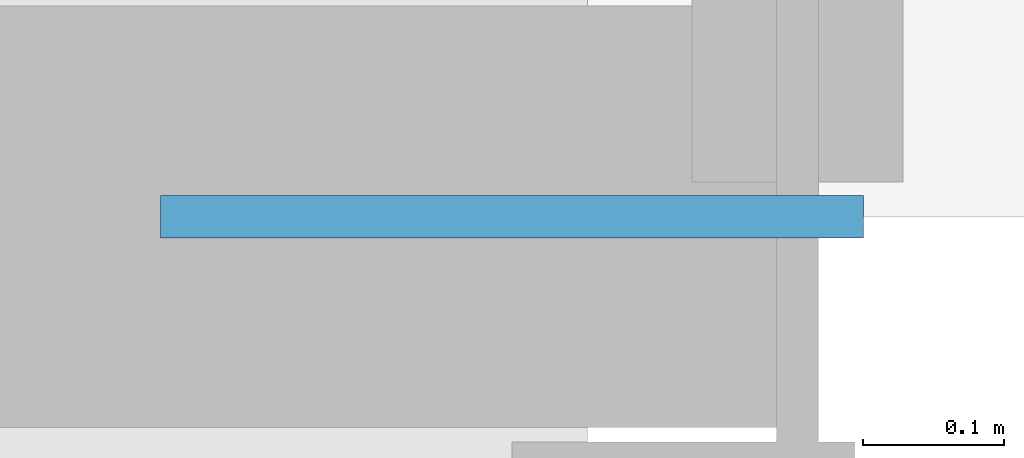
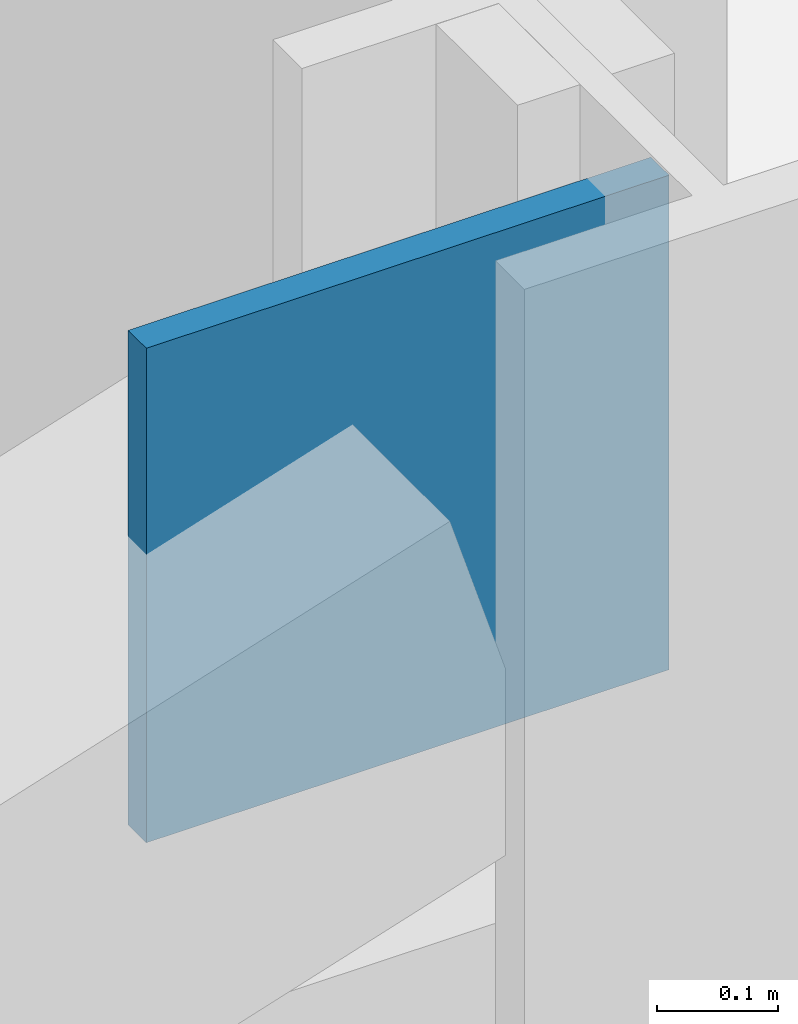
# One storey, part 18 of 27: 1 discrete accessory.
"""IFC4 building model written with IfcOpenShell, lengths in metres."""

from ifc_helpers import new_model, si_unit, direction, frame, origin, origin_2d, place, context, subcontext, project, spatial, rectangle, extrude, material, layer, layer_set, type_object, element, save


model = new_model("IFC4")

# Units and contexts
model_context = context("Model", 3, precision=1e-05, world=origin(), true_north=direction((0.0, 1.0)))
body_context = subcontext(model_context, "Body", "Model", "MODEL_VIEW")
ifc_project = project(units=[si_unit("LENGTHUNIT", "METRE"), si_unit("AREAUNIT", "SQUARE_METRE"), si_unit("VOLUMEUNIT", "CUBIC_METRE"), si_unit("PLANEANGLEUNIT", "RADIAN"), si_unit("MASSUNIT", "GRAM", prefix="KILO")], contexts=[model_context])

# Site, building, storey
site_placement = place(None, origin())
site = spatial("IfcSite", under=ifc_project, at=site_placement, CompositionType="ELEMENT")
building_placement = place(site_placement, origin())
building = spatial("IfcBuilding", under=site, at=building_placement, Name="Mahtab Terrace Research Tower", CompositionType="ELEMENT")
storey_placement = place(building_placement, frame((0.0, 0.0, 170.60009765625)))
storey = spatial("IfcBuildingStorey", under=building, at=storey_placement, Name="L40", CompositionType="ELEMENT", Elevation=170.60009765625)

# Discrete accessory
ifc_material = material(Name="Steel ASTM A992 Gr 50", Category="steel")
ifc_layer = layer(ifc_material, 0.030029296875)
ifc_layer_set = layer_set([ifc_layer], Name="Gusset plate 500x500x30")
discrete_accessory_type = type_object("IfcDiscreteAccessoryType", Name="Gusset plate 500x500x30", PredefinedType="USERDEFINED", material=ifc_layer_set)
discrete_accessory_placement = place(storey_placement, frame((5.796875, -23.0, 2.870849609375), z_axis=(0.0, 0.0, 1.0), x_axis=(1.0, 0.0, 0.0)))
element("IfcDiscreteAccessory", 1, at=discrete_accessory_placement, inside=storey, type_object=discrete_accessory_type, Name="Gusset plate", ObjectType="GUSSET PLATE", PredefinedType="USERDEFINED", context=body_context, shape_type="SweptSolid", body=[
    extrude(rectangle(XDim=0.5, YDim=0.030029296875, at=origin_2d()), origin(), (0.0, 0.0, 1.0), 0.5),
])

save(model, "model.ifc")
